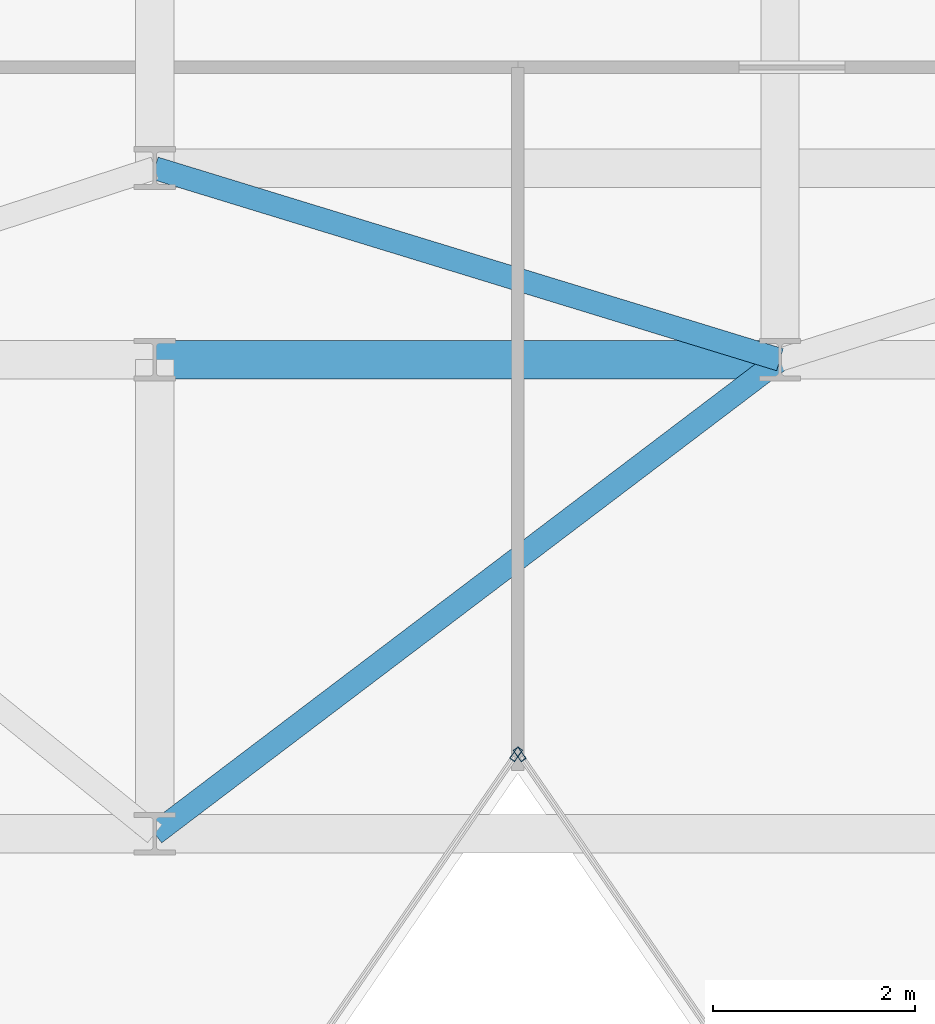
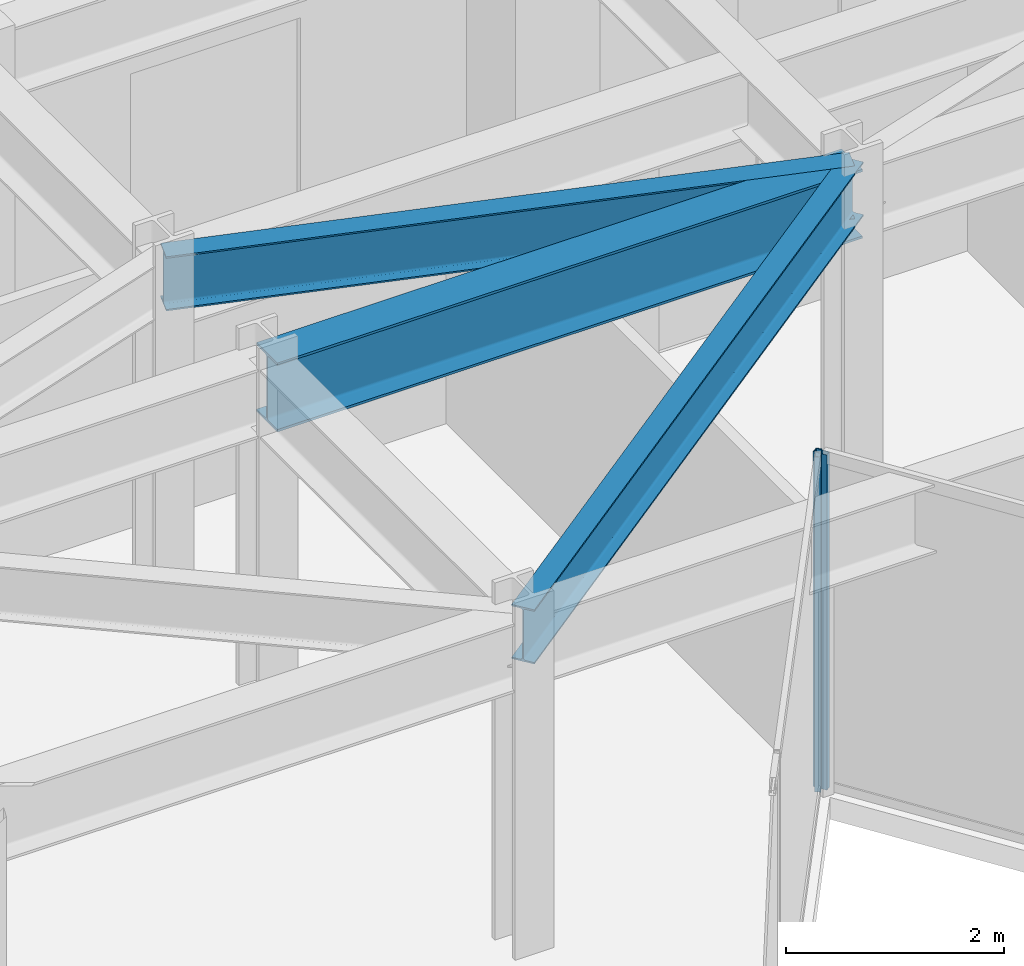
# One storey, part 8 of 21: 3 beams, 2 members, 2 elements without a shape of their own.
"""IFC4 building model written with IfcOpenShell, lengths in metres."""

from ifc_helpers import new_model, si_unit, direction, frame, origin, origin_2d, place, context, subcontext, project, spatial, hollow_rectangle, i_section, extrude, material, layer, layer_set, material_profile, profile_set, type_object, element, aggregate, save


model = new_model("IFC4")

# Units and contexts
model_context = context("Model", 3, precision=1e-05, world=origin(), true_north=direction((0.0, 1.0)))
body_context = subcontext(model_context, "Body", "Model", "MODEL_VIEW")
ifc_project = project(units=[si_unit("LENGTHUNIT", "METRE"), si_unit("AREAUNIT", "SQUARE_METRE"), si_unit("VOLUMEUNIT", "CUBIC_METRE"), si_unit("PLANEANGLEUNIT", "RADIAN"), si_unit("MASSUNIT", "GRAM", prefix="KILO")], contexts=[model_context])

# Site, building, storey
site_placement = place(None, origin())
site = spatial("IfcSite", under=ifc_project, at=site_placement, CompositionType="ELEMENT")
building_placement = place(site_placement, origin())
building = spatial("IfcBuilding", under=site, at=building_placement, Name="Kravanh Interchange Tower", CompositionType="ELEMENT")
storey_placement = place(building_placement, frame((0.0, 0.0, 176.5)))
storey = spatial("IfcBuildingStorey", under=building, at=storey_placement, Name="L42", CompositionType="ELEMENT", Elevation=176.5)

# Curtain wall, member
ifc_material_1 = material(Name="Anodised Bronze Aluminium", Category="aluminium")
ifc_layer = layer(ifc_material_1, 0.179931640625)
ifc_layer_set = layer_set([ifc_layer], Name="Unitised Curtain Wall System CW-Z3 Upper Office")
curtain_wall_type = type_object("IfcCurtainWallType", Name="Unitised Curtain Wall System CW-Z3 Upper Office", PredefinedType="NOTDEFINED", material=ifc_layer_set)
curtain_wall_1_placement = place(storey_placement, origin())
curtain_wall_1 = element("IfcCurtainWall", 1, at=curtain_wall_1_placement, inside=storey, type_object=curtain_wall_type, Name="L42 Unitised Curtain Wall CW-L42-03", PredefinedType="NOTDEFINED")
ifc_material_2 = material(Name="Anodised Bronze Aluminium", Category="aluminium")
ifc_material_profile_1 = material_profile(ifc_material_2, hollow_rectangle(XDim=0.06005859375, YDim=0.139892578125, WallThickness=0.00390625, at=origin_2d()), Name="ALU60X140X4")
ifc_profile_set_1 = profile_set([ifc_material_profile_1], Name="Anodised Bronze Aluminium")
member_type = type_object("IfcMemberType", Name="Curtain Wall Mullion ALU60X140X4 Bronze", PredefinedType="MULLION", material=ifc_profile_set_1)
member_1_placement = place(storey_placement, frame((42.217041015625, 27.587158203125, 0.0), z_axis=(0.0, 0.0, 1.0), x_axis=(-0.824042223035, -0.566528388217, 0.0)))
member_1 = element("IfcMember", 2, at=member_1_placement, type_object=member_type, Name="CW-Z3 mullion 5", PredefinedType="MULLION", context=body_context, shape_type="SweptSolid", body=[
    extrude(hollow_rectangle(XDim=0.06005859375, YDim=0.139892578125, WallThickness=0.00390625, at=origin_2d()), origin(), (0.0, 0.0, 1.0), 3.7548828125),
])
aggregate(curtain_wall_1, [member_1])

curtain_wall_2_placement = place(storey_placement, origin())
curtain_wall_2 = element("IfcCurtainWall", 3, at=curtain_wall_2_placement, inside=storey, type_object=curtain_wall_type, Name="L42 Unitised Curtain Wall CW-L42-04", PredefinedType="NOTDEFINED")
member_2_placement = place(storey_placement, frame((42.18310546875, 27.587158203125, 0.0), z_axis=(0.0, 0.0, 1.0), x_axis=(0.824042223035, -0.566528388217, 0.0)))
member_2 = element("IfcMember", 4, at=member_2_placement, type_object=member_type, Name="CW-Z3 mullion 1", PredefinedType="MULLION", context=body_context, shape_type="SweptSolid", body=[
    extrude(hollow_rectangle(XDim=0.06005859375, YDim=0.139892578125, WallThickness=0.00390625, at=origin_2d()), origin(), (0.0, 0.0, 1.0), 3.7548828125),
])
aggregate(curtain_wall_2, [member_2])

# Beams
ifc_material_3 = material(Name="Structural Steel S355", Category="steel")
ifc_material_profile_2 = material_profile(ifc_material_3, i_section(OverallWidth=0.381103515625, OverallDepth=0.77294921875, WebThickness=0.0166015625, FlangeThickness=0.027099609375, FilletRadius=0.02490234375, at=origin_2d()), Name="W30X173")
ifc_profile_set_2 = profile_set([ifc_material_profile_2], Name="Structural Steel S355")
beam_type_1 = type_object("IfcBeamType", Name="Floor Beam W30X173 Structural Steel S355", PredefinedType="BEAM", material=ifc_profile_set_2)
beam_1_placement = place(storey_placement, frame((38.60009765625, 31.5, 3.368408203125), z_axis=(1.0, 0.0, 0.0), x_axis=(0.0, 1.0, 0.0)))
element("IfcBeam", 5, at=beam_1_placement, inside=storey, type_object=beam_type_1, Name="L42 Primary Floor Girder 72", PredefinedType="BEAM", context=body_context, shape_type="SweptSolid", body=[
    extrude(i_section(OverallWidth=0.381103515625, OverallDepth=0.77294921875, WebThickness=0.0166015625, FlangeThickness=0.027099609375, FilletRadius=0.02490234375, at=origin_2d()), origin(), (0.0, 0.0, 1.0), 6.199951171875),
])
ifc_material_4 = material(Name="Structural Steel S355", Category="steel")
ifc_material_profile_3 = material_profile(ifc_material_4, i_section(OverallWidth=0.22802734375, OverallDepth=0.60791015625, WebThickness=0.01123046875, FlangeThickness=0.017333984375, FilletRadius=0.02197265625, at=origin_2d()), Name="W24X76")
ifc_profile_set_3 = profile_set([ifc_material_profile_3], Name="Structural Steel S355")
beam_type_2 = type_object("IfcBeamType", Name="Floor Spandrel W24X76 Structural Steel S355", PredefinedType="SPANDREL", material=ifc_profile_set_3)
beam_2_placement = place(storey_placement, frame((38.60009765625, 26.800048828125, 3.450927734375), z_axis=(0.796905365509, 0.604104161898, 0.0), x_axis=(-0.604104161898, 0.796905365509, 0.0)))
element("IfcBeam", 6, at=beam_2_placement, inside=storey, type_object=beam_type_2, Name="L42 Perimeter Spandrel 47", PredefinedType="SPANDREL", context=body_context, shape_type="SweptSolid", body=[
    extrude(i_section(OverallWidth=0.22802734375, OverallDepth=0.60791015625, WebThickness=0.01123046875, FlangeThickness=0.017333984375, FilletRadius=0.02197265625, at=origin_2d()), origin(), (0.0, 0.0, 1.0), 7.780029296875),
])
beam_3_placement = place(storey_placement, frame((44.800048828125, 31.5, 3.450927734375), z_axis=(-0.956115397264, 0.292990353279, 0.0), x_axis=(-0.292990353279, -0.956115397264, 0.0)))
element("IfcBeam", 7, at=beam_3_placement, inside=storey, type_object=beam_type_2, Name="L42 Perimeter Spandrel 76", PredefinedType="SPANDREL", context=body_context, shape_type="SweptSolid", body=[
    extrude(i_section(OverallWidth=0.22802734375, OverallDepth=0.60791015625, WebThickness=0.01123046875, FlangeThickness=0.017333984375, FilletRadius=0.02197265625, at=origin_2d()), origin(), (0.0, 0.0, 1.0), 6.484619140625),
])

save(model, "model.ifc")
